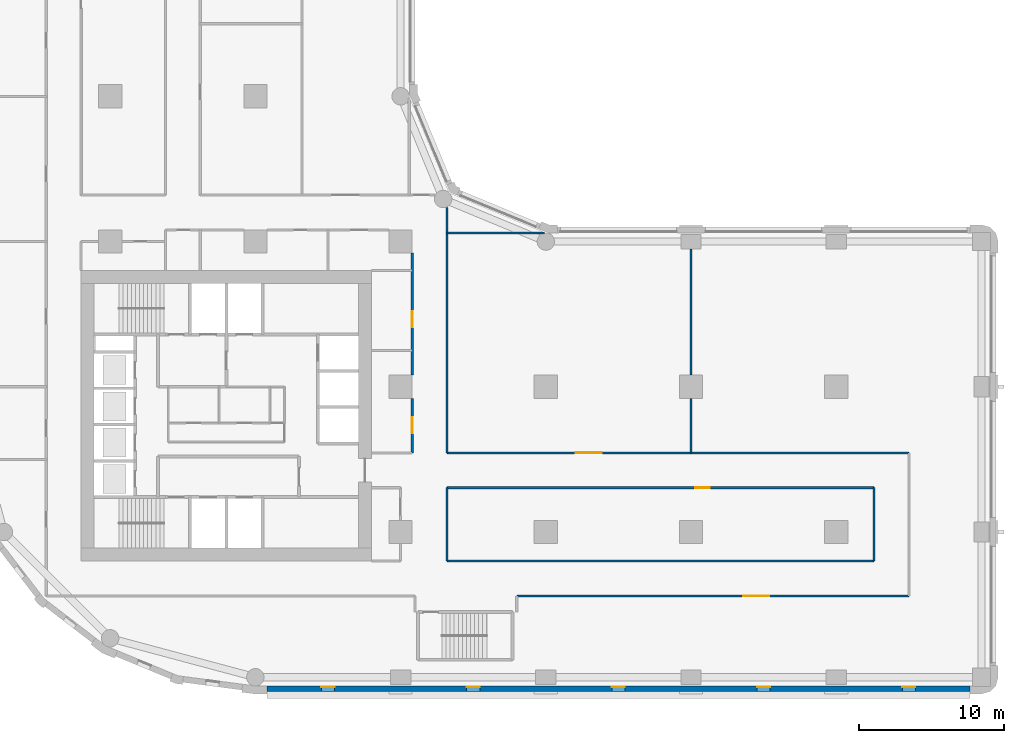
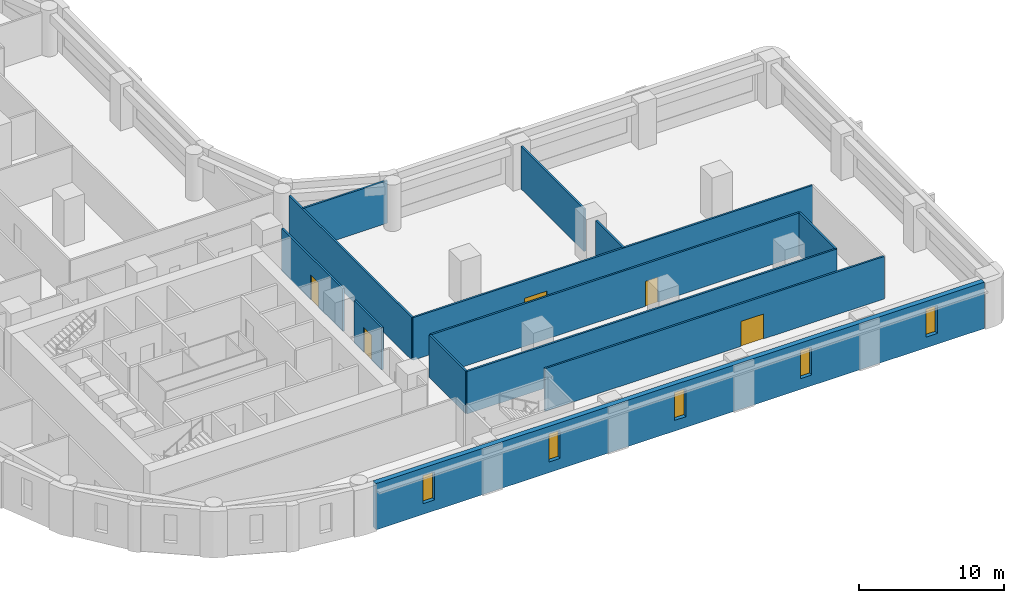
# One storey, part 4 of 10: 13 walls, 5 doors, 5 windows, 10 openings.
"""IFC4 building model written with IfcOpenShell, lengths in metres."""

import ifcopenshell
import ifcopenshell.guid

model = None  # the IFC model being written
_history = None  # IfcOwnerHistory: only IFC2X3 demands one
_inside = {}  # id of a spatial element -> (the spatial element, [elements in it])
_under = {}  # id of a project, library or spatial element -> (it, [spatial elements below it])
_declared = {}  # id of a project -> (the project, [libraries it declares])
_typed = {}  # id of a type object -> (the type object, [elements of that type])
_made_of = {}  # id of a material, layer set ... -> (it, [elements and type objects made of it])


def new_model(schema):
    """Start an empty IFC model of exactly this schema.

    Asked for "IFC4X3", IfcOpenShell would pick the latest addendum, in which some entities
    have other attributes; the version numbers below select the first issue.
    IFC2X3 requires an IfcOwnerHistory on every rooted entity: one is made here for all.
    """
    global model, _history
    if schema == "IFC4X3":
        model = ifcopenshell.file(schema_version=(4, 3, 0, 0))
    else:
        model = ifcopenshell.file(schema=schema)
    _inside.clear()
    _under.clear()
    _declared.clear()
    _typed.clear()
    _made_of.clear()
    _history = None
    if model.schema == "IFC2X3":
        org = make("IfcOrganization", Name="unknown")
        user = make(
            "IfcPersonAndOrganization",
            ThePerson=make("IfcPerson", FamilyName="unknown"),
            TheOrganization=org,
        )
        app = make(
            "IfcApplication",
            ApplicationDeveloper=org,
            Version="unknown",
            ApplicationFullName="unknown",
            ApplicationIdentifier="unknown",
        )
        _history = make(
            "IfcOwnerHistory",
            OwningUser=user,
            OwningApplication=app,
            ChangeAction="ADDED",
            CreationDate=0,
        )
    return model


def make(cls, **values):
    """One entity of the class cls with the attributes given. An attribute that is None is left unset."""
    return model.create_entity(
        cls, **{name: value for name, value in values.items() if value is not None}
    )


def rooted(cls, **values):
    """An entity with a GlobalId (a new one), such as an element, a storey or a relation."""
    return make(cls, GlobalId=ifcopenshell.guid.new(), OwnerHistory=_history, **values)


def si_unit(unit_type, name, prefix=None):
    """IfcSIUnit, for example si_unit("LENGTHUNIT", "METRE", prefix="MILLI")."""
    return make("IfcSIUnit", UnitType=unit_type, Prefix=prefix, Name=name)


def assignment(units):
    """IfcUnitAssignment: the units of a project."""
    return None if units is None else make("IfcUnitAssignment", Units=units)


def point(xyz):
    """IfcCartesianPoint."""
    return None if xyz is None else make("IfcCartesianPoint", Coordinates=xyz)


def direction(xyz):
    """IfcDirection."""
    return None if xyz is None else make("IfcDirection", DirectionRatios=xyz)


def frame(location, z_axis=None, x_axis=None):
    """IfcAxis2Placement3D, a coordinate frame: its origin and axes. An axis left out is left unset."""
    return make(
        "IfcAxis2Placement3D",
        Location=point(location),
        Axis=direction(z_axis),
        RefDirection=direction(x_axis),
    )


def frame_2d(location, x_axis=None):
    """IfcAxis2Placement2D, a coordinate frame in the plane: its origin and x axis."""
    return make(
        "IfcAxis2Placement2D", Location=point(location), RefDirection=direction(x_axis)
    )


def origin():
    """The frame at (0, 0, 0) with its axes left unset."""
    return frame((0.0, 0.0, 0.0))


def place(relative_to, where):
    """IfcLocalPlacement: puts the frame where relative to a parent placement (None: the world)."""
    return make(
        "IfcLocalPlacement", PlacementRelTo=relative_to, RelativePlacement=where
    )


def context(
    kind, dimensions, precision=None, world=None, true_north=None, identifier=None
):
    """IfcGeometricRepresentationContext, for example the 3D "Model" context."""
    return make(
        "IfcGeometricRepresentationContext",
        ContextIdentifier=identifier,
        ContextType=kind,
        CoordinateSpaceDimension=dimensions,
        Precision=precision,
        WorldCoordinateSystem=world,
        TrueNorth=true_north,
    )


def subcontext(parent, identifier, kind, view, scale=None):
    """IfcGeometricRepresentationSubContext, for example "Body" below "Model"."""
    return make(
        "IfcGeometricRepresentationSubContext",
        ContextIdentifier=identifier,
        ContextType=kind,
        ParentContext=parent,
        TargetScale=scale,
        TargetView=view,
    )


def project(units=None, contexts=None):
    """IfcProject with its units and contexts."""
    return rooted(
        "IfcProject",
        Name="project",
        RepresentationContexts=contexts,
        UnitsInContext=assignment(units),
    )


def spatial(cls, under=None, at=None, **own):
    """A site, building, storey or space (cls), placed at a placement, below another one or the project."""
    s = rooted(cls, ObjectPlacement=at, **own)
    if under is not None:
        _under.setdefault(under.id(), (under, []))[1].append(s)
    return s


def profile(cls, at=None, kind="AREA", **sizes):
    """A parametric profile (cls). Its sizes go by their IFC names, for example OverallWidth=200.0."""
    return make(cls, ProfileType=kind, Position=at, **sizes)


def rectangle(**sizes):
    """IfcRectangleProfileDef."""
    return profile("IfcRectangleProfileDef", **sizes)


def extrude(swept, where, along, depth):
    """IfcExtrudedAreaSolid: the profile swept, set in the frame where, extruded along a direction by depth."""
    return make(
        "IfcExtrudedAreaSolid",
        SweptArea=swept,
        Position=where,
        ExtrudedDirection=direction(along),
        Depth=depth,
    )


def shape(context_of_items, identifier, shape_type, items):
    """IfcShapeRepresentation: the items that make up one representation, for example the "Body"."""
    return make(
        "IfcShapeRepresentation",
        ContextOfItems=context_of_items,
        RepresentationIdentifier=identifier,
        RepresentationType=shape_type,
        Items=items,
    )


def material(Name=None, Category=None):
    """IfcMaterial."""
    return make("IfcMaterial", Name=Name, Category=Category)


def layer(
    of_material, thickness, ventilated=None, Name=None, Category=None, Priority=None
):
    """IfcMaterialLayer: one layer of a wall or slab, of a material (None: an air gap)."""
    return make(
        "IfcMaterialLayer",
        Material=of_material,
        LayerThickness=thickness,
        IsVentilated=ventilated,
        Name=Name,
        Category=Category,
        Priority=Priority,
    )


def layer_set(layers, Name=None):
    """IfcMaterialLayerSet."""
    return make("IfcMaterialLayerSet", MaterialLayers=layers, LayerSetName=Name)


def made_of(thing, what):
    """Note that an element or type object is made of a material, layer set ...; save() writes the relation."""
    if what is not None:
        _made_of.setdefault(what.id(), (what, []))[1].append(thing)
    return thing


def type_object(cls, material=None, **own):
    """A type object (cls), such as IfcWallType, which elements share."""
    return made_of(rooted(cls, **own), material)


def element(
    cls,
    number,
    at=None,
    inside=None,
    cuts=None,
    type_object=None,
    material=None,
    context=None,
    identifier="Body",
    shape_type=None,
    held_by="IfcProductDefinitionShape",
    body=None,
    shapes=None,
    **own,
):
    """One element of the class cls, such as IfcWall. Its Tag is "e" and its number.

    at: its placement. inside: the storey or other place that contains it. cuts: it is an
    opening in that element (IfcRelVoidsElement). A single representation is given by context,
    identifier, shape_type and body (its items); several are given by shapes. held_by: the class
    of the entity that holds the representations. save() writes the other relations.
    """
    e = rooted(cls, Tag="e%d" % number, ObjectPlacement=at, **own)
    if body is not None:
        shapes = [shape(context, identifier, shape_type, body)]
    if shapes is not None:
        e.Representation = make(held_by, Representations=shapes)
    if inside is not None:
        _inside.setdefault(inside.id(), (inside, []))[1].append(e)
    if cuts is not None:
        rooted(
            "IfcRelVoidsElement", RelatingBuildingElement=cuts, RelatedOpeningElement=e
        )
    if type_object is not None:
        _typed.setdefault(type_object.id(), (type_object, []))[1].append(e)
    return made_of(e, material)


def fill(opening, filler):
    """IfcRelFillsElement: the door or window that sits in an opening."""
    return rooted(
        "IfcRelFillsElement",
        RelatingOpeningElement=opening,
        RelatedBuildingElement=filler,
    )


def aggregate(whole, parts):
    """IfcRelAggregates: a whole, such as a stair, and the parts it consists of."""
    return rooted("IfcRelAggregates", RelatingObject=whole, RelatedObjects=parts)


def save(model, path):
    """Write the relations noted so far, then the file.

    IfcRelAggregates (storeys below a building ...), IfcRelContainedInSpatialStructure (elements
    in a storey), IfcRelDefinesByType, IfcRelAssociatesMaterial and IfcRelDeclares: one each for
    every whole, place, type object, material and project.
    """
    for whole, parts in _under.values():
        aggregate(whole, parts)
    for where, things in _inside.values():
        rooted(
            "IfcRelContainedInSpatialStructure",
            RelatedElements=things,
            RelatingStructure=where,
        )
    for kind, things in _typed.values():
        rooted("IfcRelDefinesByType", RelatedObjects=things, RelatingType=kind)
    for what, things in _made_of.values():
        rooted("IfcRelAssociatesMaterial", RelatedObjects=things, RelatingMaterial=what)
    for by, libraries in _declared.values():
        rooted("IfcRelDeclares", RelatingContext=by, RelatedDefinitions=libraries)
    model.write(path)


model = new_model("IFC4")

# Units and contexts
model_context = context("Model", 3, precision=1e-05, world=origin(), true_north=direction((0.0, 1.0)))
body_context = subcontext(model_context, "Body", "Model", "MODEL_VIEW")
ifc_project = project(units=[si_unit("LENGTHUNIT", "METRE"), si_unit("AREAUNIT", "SQUARE_METRE"), si_unit("VOLUMEUNIT", "CUBIC_METRE"), si_unit("PLANEANGLEUNIT", "RADIAN"), si_unit("MASSUNIT", "GRAM", prefix="KILO")], contexts=[model_context])

# Site, building, storey
site_placement = place(None, origin())
site = spatial("IfcSite", under=ifc_project, at=site_placement, CompositionType="ELEMENT")
building_placement = place(site_placement, origin())
building = spatial("IfcBuilding", under=site, at=building_placement, Name="Qaws Garden Tower", CompositionType="ELEMENT")
storey_placement = place(building_placement, frame((0.0, 0.0, 66.60009765625)))
storey = spatial("IfcBuildingStorey", under=building, at=storey_placement, Name="L16", CompositionType="ELEMENT", Elevation=66.60009765625)

# Wall, openings, windows
ifc_material_1 = material(Name="Clay facing brick masonry", Category="masonry")
ifc_layer_1 = layer(ifc_material_1, 0.39990234375)
ifc_layer_set_1 = layer_set([ifc_layer_1], Name="Clay facing brick masonry")
wall_type_1 = type_object("IfcWallType", Name="Brick infill wall 400", PredefinedType="SOLIDWALL", material=ifc_layer_set_1)
wall_1_placement = place(storey_placement, frame((20.800048828125, -0.800048828125, 0.0), z_axis=(0.0, 0.0, 1.0), x_axis=(1.0, 0.0, 0.0)))
wall_1 = element("IfcWall", 1, at=wall_1_placement, inside=storey, type_object=wall_type_1, Name="E-L16-infill-00", PredefinedType="SOLIDWALL", context=body_context, shape_type="SweptSolid", body=[
    extrude(rectangle(XDim=48.39990234375, YDim=0.39990234375, at=frame_2d((24.199951171875, 0.0))), origin(), (0.0, 0.0, 1.0), 3.89990234375),
])
opening_1_placement = place(wall_1_placement, frame((3.75, 0.0, 0.89990234375)))
opening_1 = element("IfcOpeningElement", 2, at=opening_1_placement, cuts=wall_1, Name="Opening W09", PredefinedType="OPENING", context=body_context, shape_type="SweptSolid", body=[
    extrude(rectangle(XDim=0.89990234375, YDim=2.35009765625, at=frame_2d((0.449951171875, 1.175048828125))), frame((0.0, 0.2099609375, 0.0), z_axis=(0.0, -1.0, 0.0), x_axis=(1.0, 0.0, 0.0)), (0.0, 0.0, 1.0), 0.419921875),
])
opening_2_placement = place(wall_1_placement, frame((13.75, 0.0, 0.89990234375)))
opening_2 = element("IfcOpeningElement", 3, at=opening_2_placement, cuts=wall_1, Name="Opening W09", PredefinedType="OPENING", context=body_context, shape_type="SweptSolid", body=[
    extrude(rectangle(XDim=0.89990234375, YDim=2.35009765625, at=frame_2d((0.449951171875, 1.175048828125))), frame((0.0, 0.2099609375, 0.0), z_axis=(0.0, -1.0, 0.0), x_axis=(1.0, 0.0, 0.0)), (0.0, 0.0, 1.0), 0.419921875),
])
opening_3_placement = place(wall_1_placement, frame((23.75, 0.0, 0.89990234375)))
opening_3 = element("IfcOpeningElement", 4, at=opening_3_placement, cuts=wall_1, Name="Opening W09", PredefinedType="OPENING", context=body_context, shape_type="SweptSolid", body=[
    extrude(rectangle(XDim=0.89990234375, YDim=2.35009765625, at=frame_2d((0.449951171875, 1.175048828125))), frame((0.0, 0.2099609375, 0.0), z_axis=(0.0, -1.0, 0.0), x_axis=(1.0, 0.0, 0.0)), (0.0, 0.0, 1.0), 0.419921875),
])
opening_4_placement = place(wall_1_placement, frame((33.75, 0.0, 0.89990234375)))
opening_4 = element("IfcOpeningElement", 5, at=opening_4_placement, cuts=wall_1, Name="Opening W09", PredefinedType="OPENING", context=body_context, shape_type="SweptSolid", body=[
    extrude(rectangle(XDim=0.89990234375, YDim=2.35009765625, at=frame_2d((0.449951171875, 1.175048828125))), frame((0.0, 0.2099609375, 0.0), z_axis=(0.0, -1.0, 0.0), x_axis=(1.0, 0.0, 0.0)), (0.0, 0.0, 1.0), 0.419921875),
])
opening_5_placement = place(wall_1_placement, frame((43.75, 0.0, 0.89990234375)))
opening_5 = element("IfcOpeningElement", 6, at=opening_5_placement, cuts=wall_1, Name="Opening W09", PredefinedType="OPENING", context=body_context, shape_type="SweptSolid", body=[
    extrude(rectangle(XDim=0.89990234375, YDim=2.35009765625, at=frame_2d((0.449951171875, 1.175048828125))), frame((0.0, 0.2099609375, 0.0), z_axis=(0.0, -1.0, 0.0), x_axis=(1.0, 0.0, 0.0)), (0.0, 0.0, 1.0), 0.419921875),
])
ifc_material_2 = material(Name="Aluminium framed window, clear glazing", Category="aluminium")
window_type = type_object("IfcWindowType", Name="Slit window 900 x 2350", PartitioningType="SINGLE_PANEL", PredefinedType="WINDOW", material=ifc_material_2)
window_1_placement = place(opening_1_placement, origin())
window_1 = element("IfcWindow", 7, at=window_1_placement, inside=storey, type_object=window_type, Name="E-L16-window-00-0", OverallHeight=2.35009765625, OverallWidth=0.89990234375, PartitioningType="SINGLE_PANEL", PredefinedType="WINDOW", context=body_context, shape_type="SweptSolid", body=[
    extrude(rectangle(XDim=0.89990234375, YDim=2.35009765625, at=frame_2d((0.449951171875, 1.175048828125))), frame((0.0, 0.159912109375, 0.0), z_axis=(0.0, -1.0, 0.0), x_axis=(1.0, 0.0, 0.0)), (0.0, 0.0, 1.0), 0.06005859375),
])
fill(opening_1, window_1)
window_2_placement = place(opening_2_placement, origin())
window_2 = element("IfcWindow", 8, at=window_2_placement, inside=storey, type_object=window_type, Name="E-L16-window-01-0", OverallHeight=2.35009765625, OverallWidth=0.89990234375, PartitioningType="SINGLE_PANEL", PredefinedType="WINDOW", context=body_context, shape_type="SweptSolid", body=[
    extrude(rectangle(XDim=0.89990234375, YDim=2.35009765625, at=frame_2d((0.449951171875, 1.175048828125))), frame((0.0, 0.159912109375, 0.0), z_axis=(0.0, -1.0, 0.0), x_axis=(1.0, 0.0, 0.0)), (0.0, 0.0, 1.0), 0.06005859375),
])
fill(opening_2, window_2)
window_3_placement = place(opening_3_placement, origin())
window_3 = element("IfcWindow", 9, at=window_3_placement, inside=storey, type_object=window_type, Name="E-L16-window-02-0", OverallHeight=2.35009765625, OverallWidth=0.89990234375, PartitioningType="SINGLE_PANEL", PredefinedType="WINDOW", context=body_context, shape_type="SweptSolid", body=[
    extrude(rectangle(XDim=0.89990234375, YDim=2.35009765625, at=frame_2d((0.449951171875, 1.175048828125))), frame((0.0, 0.159912109375, 0.0), z_axis=(0.0, -1.0, 0.0), x_axis=(1.0, 0.0, 0.0)), (0.0, 0.0, 1.0), 0.06005859375),
])
fill(opening_3, window_3)
window_4_placement = place(opening_4_placement, origin())
window_4 = element("IfcWindow", 10, at=window_4_placement, inside=storey, type_object=window_type, Name="E-L16-window-03-0", OverallHeight=2.35009765625, OverallWidth=0.89990234375, PartitioningType="SINGLE_PANEL", PredefinedType="WINDOW", context=body_context, shape_type="SweptSolid", body=[
    extrude(rectangle(XDim=0.89990234375, YDim=2.35009765625, at=frame_2d((0.449951171875, 1.175048828125))), frame((0.0, 0.159912109375, 0.0), z_axis=(0.0, -1.0, 0.0), x_axis=(1.0, 0.0, 0.0)), (0.0, 0.0, 1.0), 0.06005859375),
])
fill(opening_4, window_4)
window_5_placement = place(opening_5_placement, origin())
window_5 = element("IfcWindow", 11, at=window_5_placement, inside=storey, type_object=window_type, Name="E-L16-window-04-0", OverallHeight=2.35009765625, OverallWidth=0.89990234375, PartitioningType="SINGLE_PANEL", PredefinedType="WINDOW", context=body_context, shape_type="SweptSolid", body=[
    extrude(rectangle(XDim=0.89990234375, YDim=2.35009765625, at=frame_2d((0.449951171875, 1.175048828125))), frame((0.0, 0.159912109375, 0.0), z_axis=(0.0, -1.0, 0.0), x_axis=(1.0, 0.0, 0.0)), (0.0, 0.0, 1.0), 0.06005859375),
])
fill(opening_5, window_5)

# Wall, opening, door
ifc_material_3 = material(Name="Gypsum board partition")
ifc_layer_2 = layer(ifc_material_3, 0.14990234375)
ifc_layer_set_2 = layer_set([ifc_layer_2], Name="Gypsum board partition")
wall_type_2 = type_object("IfcWallType", Name="PARTITION 150 EI 60", PredefinedType="PARTITIONING", material=ifc_layer_set_2)
wall_2_placement = place(storey_placement, frame((30.800048828125, 15.449951171875, 0.0), z_axis=(0.0, 0.0, 1.0), x_axis=(0.0, 1.0, 0.0)))
wall_2 = element("IfcWall", 12, at=wall_2_placement, inside=storey, type_object=wall_type_2, Name="O-L16-wall-016", PredefinedType="PARTITIONING", context=body_context, shape_type="SweptSolid", body=[
    extrude(rectangle(XDim=3.75, YDim=0.14990234375, at=frame_2d((1.875, 0.0))), origin(), (0.0, 0.0, 1.0), 3.579833984375),
])
opening_6_placement = place(wall_2_placement, frame((1.35009765625, 0.0, 0.0)))
opening_6 = element("IfcOpeningElement", 13, at=opening_6_placement, cuts=wall_2, Name="Opening A503", PredefinedType="OPENING", context=body_context, shape_type="SweptSolid", body=[
    extrude(rectangle(XDim=1.10009765625, YDim=2.10009765625, at=frame_2d((0.550048828125, 1.050048828125))), frame((0.0, 0.0849609375, 0.0), z_axis=(0.0, -1.0, 0.0), x_axis=(1.0, 0.0, 0.0)), (0.0, 0.0, 1.0), 0.169921875),
])
ifc_material_4 = material(Name="Timber door leaf", Category="wood")
door_type_1 = type_object("IfcDoorType", Name="SERVICE ROOM DOOR 1100 X 2100", OperationType="SINGLE_SWING_LEFT", PredefinedType="DOOR", material=ifc_material_4)
door_1_placement = place(opening_6_placement, origin())
door_1 = element("IfcDoor", 14, at=door_1_placement, inside=storey, type_object=door_type_1, Name="O-L16-door-003", OperationType="SINGLE_SWING_RIGHT", OverallHeight=2.10009765625, OverallWidth=1.10009765625, PredefinedType="DOOR", context=body_context, shape_type="SweptSolid", body=[
    extrude(rectangle(XDim=1.10009765625, YDim=2.10009765625, at=frame_2d((0.550048828125, 1.050048828125))), frame((0.0, 0.02490234375, 0.0), z_axis=(0.0, -1.0, 0.0), x_axis=(1.0, 0.0, 0.0)), (0.0, 0.0, 1.0), 0.050048828125),
])
fill(opening_6, door_1)

wall_3_placement = place(storey_placement, frame((30.800048828125, 20.800048828125, 0.0), z_axis=(0.0, 0.0, 1.0), x_axis=(0.0, 1.0, 0.0)))
wall_3 = element("IfcWall", 15, at=wall_3_placement, inside=storey, type_object=wall_type_2, Name="O-L16-wall-017", PredefinedType="PARTITIONING", context=body_context, shape_type="SweptSolid", body=[
    extrude(rectangle(XDim=8.39990234375, YDim=0.14990234375, at=frame_2d((4.199951171875, 0.0))), origin(), (0.0, 0.0, 1.0), 3.579833984375),
])
opening_7_placement = place(wall_3_placement, frame((3.300048828125, 0.0, 0.0)))
opening_7 = element("IfcOpeningElement", 16, at=opening_7_placement, cuts=wall_3, Name="Opening A504", PredefinedType="OPENING", context=body_context, shape_type="SweptSolid", body=[
    extrude(rectangle(XDim=1.10009765625, YDim=2.10009765625, at=frame_2d((0.550048828125, 1.050048828125))), frame((0.0, 0.0849609375, 0.0), z_axis=(0.0, -1.0, 0.0), x_axis=(1.0, 0.0, 0.0)), (0.0, 0.0, 1.0), 0.169921875),
])
door_2_placement = place(opening_7_placement, origin())
door_2 = element("IfcDoor", 17, at=door_2_placement, inside=storey, type_object=door_type_1, Name="O-L16-door-004", OperationType="SINGLE_SWING_RIGHT", OverallHeight=2.10009765625, OverallWidth=1.10009765625, PredefinedType="DOOR", context=body_context, shape_type="SweptSolid", body=[
    extrude(rectangle(XDim=1.10009765625, YDim=2.10009765625, at=frame_2d((0.550048828125, 1.050048828125))), frame((0.0, 0.02490234375, 0.0), z_axis=(0.0, -1.0, 0.0), x_axis=(1.0, 0.0, 0.0)), (0.0, 0.0, 1.0), 0.050048828125),
])
fill(opening_7, door_2)

# Walls
wall_4_placement = place(storey_placement, frame((33.199951171875, 8.0, 0.0), z_axis=(0.0, 0.0, 1.0), x_axis=(0.0, 1.0, 0.0)))
element("IfcWall", 18, at=wall_4_placement, inside=storey, type_object=wall_type_2, Name="O-L16-wall-019", PredefinedType="PARTITIONING", context=body_context, shape_type="SweptSolid", body=[
    extrude(rectangle(XDim=5.050048828125, YDim=0.14990234375, at=frame_2d((2.52490234375, 0.0))), origin(), (0.0, 0.0, 1.0), 3.579833984375),
])
wall_5_placement = place(storey_placement, frame((33.199951171875, 15.449951171875, 0.0), z_axis=(0.0, 0.0, 1.0), x_axis=(0.0, 1.0, 0.0)))
element("IfcWall", 19, at=wall_5_placement, inside=storey, type_object=wall_type_2, Name="O-L16-wall-020", PredefinedType="PARTITIONING", context=body_context, shape_type="SweptSolid", body=[
    extrude(rectangle(XDim=16.912109375, YDim=0.14990234375, at=frame_2d((8.4560546875, 0.0))), origin(), (0.0, 0.0, 1.0), 3.579833984375),
])
wall_6_placement = place(storey_placement, frame((50.0, 15.449951171875, 0.0), z_axis=(0.0, 0.0, 1.0), x_axis=(0.0, 1.0, 0.0)))
element("IfcWall", 20, at=wall_6_placement, inside=storey, type_object=wall_type_2, Name="O-L16-wall-022", PredefinedType="PARTITIONING", context=body_context, shape_type="SweptSolid", body=[
    extrude(rectangle(XDim=3.75, YDim=0.14990234375, at=frame_2d((1.875, 0.0))), origin(), (0.0, 0.0, 1.0), 3.579833984375),
])
wall_7_placement = place(storey_placement, frame((50.0, 20.800048828125, 0.0), z_axis=(0.0, 0.0, 1.0), x_axis=(0.0, 1.0, 0.0)))
element("IfcWall", 21, at=wall_7_placement, inside=storey, type_object=wall_type_2, Name="O-L16-wall-023", PredefinedType="PARTITIONING", context=body_context, shape_type="SweptSolid", body=[
    extrude(rectangle(XDim=8.699951171875, YDim=0.14990234375, at=frame_2d((4.35009765625, 0.0))), origin(), (0.0, 0.0, 1.0), 3.579833984375),
])
wall_8_placement = place(storey_placement, frame((62.60009765625, 8.0, 0.0), z_axis=(0.0, 0.0, 1.0), x_axis=(0.0, 1.0, 0.0)))
element("IfcWall", 22, at=wall_8_placement, inside=storey, type_object=wall_type_2, Name="O-L16-wall-024", PredefinedType="PARTITIONING", context=body_context, shape_type="SweptSolid", body=[
    extrude(rectangle(XDim=5.050048828125, YDim=0.14990234375, at=frame_2d((2.52490234375, 0.0))), origin(), (0.0, 0.0, 1.0), 3.579833984375),
])

# Wall, opening, door
wall_9_placement = place(storey_placement, frame((38.0, 5.60009765625, 0.0), z_axis=(0.0, 0.0, 1.0), x_axis=(1.0, 0.0, 0.0)))
wall_9 = element("IfcWall", 23, at=wall_9_placement, inside=storey, type_object=wall_type_2, Name="O-L16-wall-027", PredefinedType="PARTITIONING", context=body_context, shape_type="SweptSolid", body=[
    extrude(rectangle(XDim=27.0, YDim=0.14990234375, at=frame_2d((13.5, 0.0))), origin(), (0.0, 0.0, 1.0), 3.579833984375),
])
opening_8_placement = place(wall_9_placement, frame((15.60009765625, 0.0, 0.0)))
opening_8 = element("IfcOpeningElement", 24, at=opening_8_placement, cuts=wall_9, Name="Opening A521", PredefinedType="OPENING", context=body_context, shape_type="SweptSolid", body=[
    extrude(rectangle(XDim=1.800048828125, YDim=2.10009765625, at=frame_2d((0.89990234375, 1.050048828125))), frame((0.0, 0.0849609375, 0.0), z_axis=(0.0, -1.0, 0.0), x_axis=(1.0, 0.0, 0.0)), (0.0, 0.0, 1.0), 0.169921875),
])
ifc_material_5 = material(Name="Timber door leaf", Category="wood")
door_type_2 = type_object("IfcDoorType", Name="DOUBLE DOOR 1800 X 2100", OperationType="DOUBLE_DOOR_SINGLE_SWING", PredefinedType="DOOR", material=ifc_material_5)
door_3_placement = place(opening_8_placement, frame((1.800048828125, 0.0, 0.0), z_axis=(0.0, 0.0, 1.0), x_axis=(-1.0, 0.0, 0.0)))
door_3 = element("IfcDoor", 25, at=door_3_placement, inside=storey, type_object=door_type_2, Name="O-L16-door-021", OperationType="DOUBLE_DOOR_SINGLE_SWING", OverallHeight=2.10009765625, OverallWidth=1.800048828125, PredefinedType="DOOR", context=body_context, shape_type="SweptSolid", body=[
    extrude(rectangle(XDim=1.800048828125, YDim=2.10009765625, at=frame_2d((0.89990234375, 1.050048828125))), frame((0.0, 0.02490234375, 0.0), z_axis=(0.0, -1.0, 0.0), x_axis=(1.0, 0.0, 0.0)), (0.0, 0.0, 1.0), 0.050048828125),
])
fill(opening_8, door_3)

# Wall
wall_10_placement = place(storey_placement, frame((33.199951171875, 8.0, 0.0), z_axis=(0.0, 0.0, 1.0), x_axis=(1.0, 0.0, 0.0)))
element("IfcWall", 26, at=wall_10_placement, inside=storey, type_object=wall_type_2, Name="O-L16-wall-029", PredefinedType="PARTITIONING", context=body_context, shape_type="SweptSolid", body=[
    extrude(rectangle(XDim=29.400146484375, YDim=0.14990234375, at=frame_2d((14.7001953125, 0.0))), origin(), (0.0, 0.0, 1.0), 3.579833984375),
])

# Wall, opening, door
wall_11_placement = place(storey_placement, frame((33.199951171875, 13.050048828125, 0.0), z_axis=(0.0, 0.0, 1.0), x_axis=(1.0, 0.0, 0.0)))
wall_11 = element("IfcWall", 27, at=wall_11_placement, inside=storey, type_object=wall_type_2, Name="O-L16-wall-031", PredefinedType="PARTITIONING", context=body_context, shape_type="SweptSolid", body=[
    extrude(rectangle(XDim=29.400146484375, YDim=0.14990234375, at=frame_2d((14.7001953125, 0.0))), origin(), (0.0, 0.0, 1.0), 3.579833984375),
])
opening_9_placement = place(wall_11_placement, frame((17.10009765625, 0.0, 0.0)))
opening_9 = element("IfcOpeningElement", 28, at=opening_9_placement, cuts=wall_11, Name="Opening A522", PredefinedType="OPENING", context=body_context, shape_type="SweptSolid", body=[
    extrude(rectangle(XDim=1.0, YDim=2.10009765625, at=frame_2d((0.5, 1.050048828125))), frame((0.0, 0.0849609375, 0.0), z_axis=(0.0, -1.0, 0.0), x_axis=(1.0, 0.0, 0.0)), (0.0, 0.0, 1.0), 0.169921875),
])
ifc_material_6 = material(Name="Timber door leaf", Category="wood")
door_type_3 = type_object("IfcDoorType", Name="TENANCY ENTRANCE DOOR 1000 X 2100", OperationType="SINGLE_SWING_LEFT", PredefinedType="DOOR", material=ifc_material_6)
door_4_placement = place(opening_9_placement, frame((1.0, 0.0, 0.0), z_axis=(0.0, 0.0, 1.0), x_axis=(-1.0, 0.0, 0.0)))
door_4 = element("IfcDoor", 29, at=door_4_placement, inside=storey, type_object=door_type_3, Name="O-L16-door-022", OperationType="SINGLE_SWING_RIGHT", OverallHeight=2.10009765625, OverallWidth=1.0, PredefinedType="DOOR", context=body_context, shape_type="SweptSolid", body=[
    extrude(rectangle(XDim=1.0, YDim=2.10009765625, at=frame_2d((0.5, 1.050048828125))), frame((0.0, 0.02490234375, 0.0), z_axis=(0.0, -1.0, 0.0), x_axis=(1.0, 0.0, 0.0)), (0.0, 0.0, 1.0), 0.050048828125),
])
fill(opening_9, door_4)

wall_12_placement = place(storey_placement, frame((33.199951171875, 15.449951171875, 0.0), z_axis=(0.0, 0.0, 1.0), x_axis=(1.0, 0.0, 0.0)))
wall_12 = element("IfcWall", 30, at=wall_12_placement, inside=storey, type_object=wall_type_2, Name="O-L16-wall-034", PredefinedType="PARTITIONING", context=body_context, shape_type="SweptSolid", body=[
    extrude(rectangle(XDim=31.800048828125, YDim=0.14990234375, at=frame_2d((15.89990234375, 0.0))), origin(), (0.0, 0.0, 1.0), 3.579833984375),
])
opening_10_placement = place(wall_12_placement, frame((8.85009765625, 0.0, 0.0)))
opening_10 = element("IfcOpeningElement", 31, at=opening_10_placement, cuts=wall_12, Name="Opening A523", PredefinedType="OPENING", context=body_context, shape_type="SweptSolid", body=[
    extrude(rectangle(XDim=1.800048828125, YDim=2.10009765625, at=frame_2d((0.89990234375, 1.050048828125))), frame((0.0, 0.0849609375, 0.0), z_axis=(0.0, -1.0, 0.0), x_axis=(1.0, 0.0, 0.0)), (0.0, 0.0, 1.0), 0.169921875),
])
door_5_placement = place(opening_10_placement, origin())
door_5 = element("IfcDoor", 32, at=door_5_placement, inside=storey, type_object=door_type_2, Name="O-L16-door-023", OperationType="DOUBLE_DOOR_SINGLE_SWING", OverallHeight=2.10009765625, OverallWidth=1.800048828125, PredefinedType="DOOR", context=body_context, shape_type="SweptSolid", body=[
    extrude(rectangle(XDim=1.800048828125, YDim=2.10009765625, at=frame_2d((0.89990234375, 1.050048828125))), frame((0.0, 0.02490234375, 0.0), z_axis=(0.0, -1.0, 0.0), x_axis=(1.0, 0.0, 0.0)), (0.0, 0.0, 1.0), 0.050048828125),
])
fill(opening_10, door_5)

# Wall
wall_13_placement = place(storey_placement, frame((33.199951171875, 30.60009765625, 0.0), z_axis=(0.0, 0.0, 1.0), x_axis=(1.0, 0.0, 0.0)))
element("IfcWall", 33, at=wall_13_placement, inside=storey, type_object=wall_type_2, Name="O-L16-wall-041", PredefinedType="PARTITIONING", context=body_context, shape_type="SweptSolid", body=[
    extrude(rectangle(XDim=6.698974609375, YDim=0.14990234375, at=frame_2d((3.349609375, 0.0))), origin(), (0.0, 0.0, 1.0), 3.579833984375),
])

save(model, "model.ifc")
